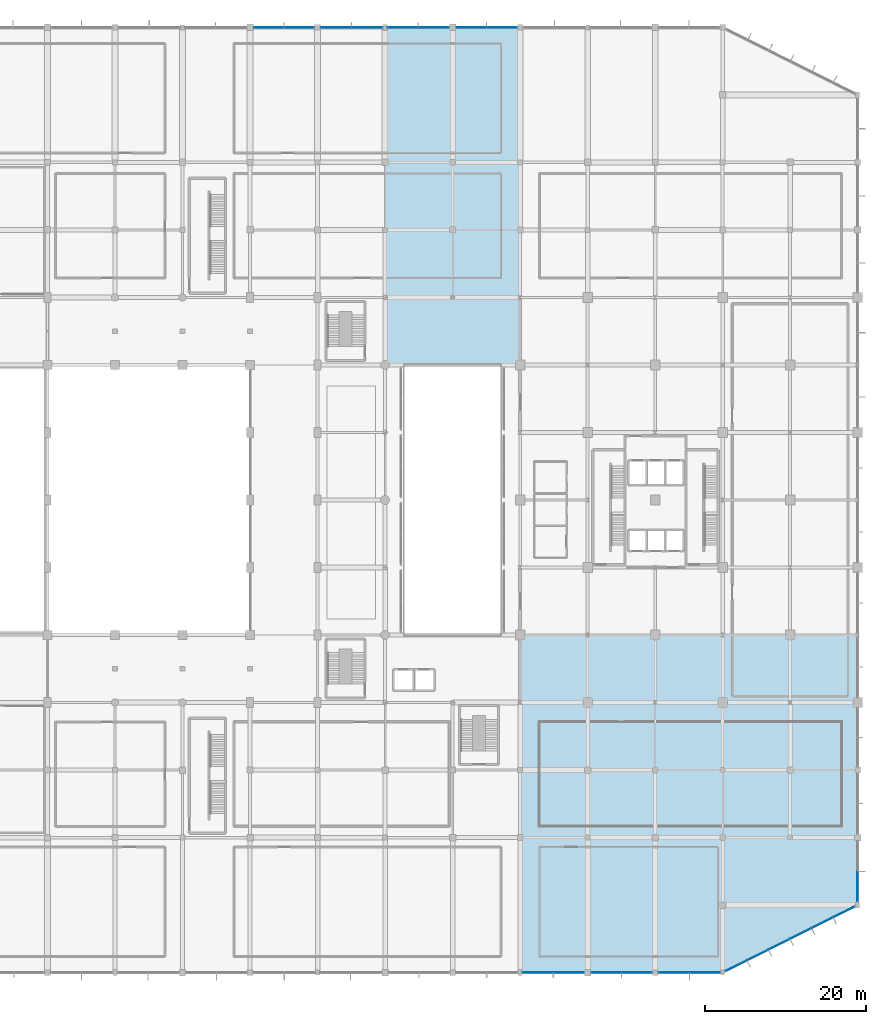
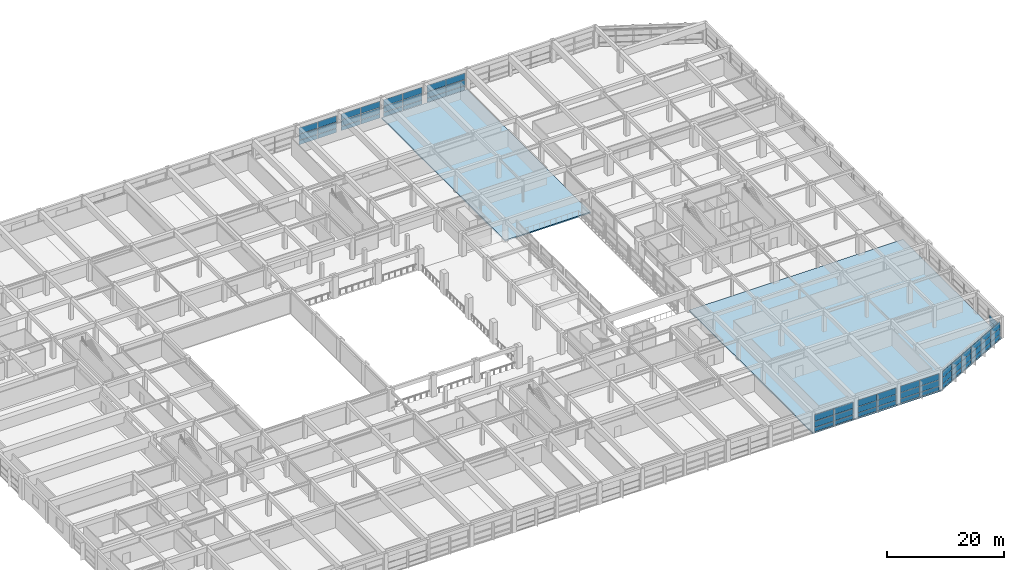
# One storey, part 47 of 65: 62 plates, 2 slabs, 9 elements without a shape of their own.
"""IFC4 building model written with IfcOpenShell, lengths in metres."""

from ifc_helpers import new_model, si_unit, direction, frame, origin, origin_2d, place, context, subcontext, project, spatial, polyline, rectangle, outline, extrude, material, layer, layer_set, type_object, element, aggregate, save


model = new_model("IFC4")

# Units and contexts
model_context = context("Model", 3, precision=1e-05, world=origin(), true_north=direction((0.0, 1.0)))
body_context = subcontext(model_context, "Body", "Model", "MODEL_VIEW")
ifc_project = project(units=[si_unit("LENGTHUNIT", "METRE"), si_unit("AREAUNIT", "SQUARE_METRE"), si_unit("VOLUMEUNIT", "CUBIC_METRE"), si_unit("PLANEANGLEUNIT", "RADIAN"), si_unit("MASSUNIT", "GRAM", prefix="KILO")], contexts=[model_context])

# Site, building, storey
site_placement = place(None, origin())
site = spatial("IfcSite", under=ifc_project, at=site_placement, CompositionType="ELEMENT")
building_placement = place(site_placement, origin())
building = spatial("IfcBuilding", under=site, at=building_placement, Name="Xuanlan Plaza Opera House", CompositionType="ELEMENT")
storey_placement = place(building_placement, frame((0.0, 0.0, 5.39990234375)))
storey = spatial("IfcBuildingStorey", under=building, at=storey_placement, Name="L01", CompositionType="ELEMENT", Elevation=5.39990234375)

# Curtain wall, plates
ifc_material_1 = material(Name="Anodised Aluminium 6063-T6 and Low-E Glass", Category="aluminium")
curtain_wall_type_1 = type_object("IfcCurtainWallType", Name="ENV-CW-CW-03", PredefinedType="USERDEFINED", material=ifc_material_1)
curtain_wall_1_placement = place(storey_placement, origin())
curtain_wall_1 = element("IfcCurtainWall", 1, at=curtain_wall_1_placement, inside=storey, type_object=curtain_wall_type_1, Name="Unitised Curtain Wall L01-016", ObjectType="UNITISED CURTAIN WALL", PredefinedType="USERDEFINED")
ifc_material_2 = material(Name="Laminated Acoustic Double Glazing", Category="glass")
ifc_layer_1 = layer(ifc_material_2, 0.028076171875)
ifc_layer_set_1 = layer_set([ifc_layer_1], Name="Laminated Acoustic Double Glazing")
plate_type_1 = type_object("IfcPlateType", Name="ENV-CWP-01", PredefinedType="CURTAIN_PANEL", material=ifc_layer_set_1)
plate_1_placement = place(storey_placement, frame((145.13623046875, 0.0, 0.090087890625), z_axis=(0.0, 0.0, 1.0), x_axis=(1.0, 0.0, 0.0)))
plate_1 = element("IfcPlate", 2, at=plate_1_placement, type_object=plate_type_1, Name="CW-03 panel 1.1", PredefinedType="CURTAIN_PANEL", context=body_context, shape_type="SweptSolid", body=[
    extrude(rectangle(XDim=3.7724609375, YDim=0.028076171875, at=origin_2d()), origin(), (0.0, 0.0, 1.0), 0.81494140625),
])
plate_2_placement = place(storey_placement, frame((145.13623046875, 0.0, 0.9951171875), z_axis=(0.0, 0.0, 1.0), x_axis=(1.0, 0.0, 0.0)))
plate_2 = element("IfcPlate", 3, at=plate_2_placement, type_object=plate_type_1, Name="CW-03 panel 1.2", PredefinedType="CURTAIN_PANEL", context=body_context, shape_type="SweptSolid", body=[
    extrude(rectangle(XDim=3.7724609375, YDim=0.028076171875, at=origin_2d()), origin(), (0.0, 0.0, 1.0), 1.2099609375),
])
plate_3_placement = place(storey_placement, frame((145.13623046875, 0.0, 2.295166015625), z_axis=(0.0, 0.0, 1.0), x_axis=(1.0, 0.0, 0.0)))
plate_3 = element("IfcPlate", 4, at=plate_3_placement, type_object=plate_type_1, Name="CW-03 panel 1.3", PredefinedType="CURTAIN_PANEL", context=body_context, shape_type="SweptSolid", body=[
    extrude(rectangle(XDim=3.7724609375, YDim=0.028076171875, at=origin_2d()), origin(), (0.0, 0.0, 1.0), 1.294921875),
])
plate_4_placement = place(storey_placement, frame((148.98876953125, 0.0, 0.090087890625), z_axis=(0.0, 0.0, 1.0), x_axis=(1.0, 0.0, 0.0)))
plate_4 = element("IfcPlate", 5, at=plate_4_placement, type_object=plate_type_1, Name="CW-03 panel 2.1", PredefinedType="CURTAIN_PANEL", context=body_context, shape_type="SweptSolid", body=[
    extrude(rectangle(XDim=3.7724609375, YDim=0.028076171875, at=origin_2d()), origin(), (0.0, 0.0, 1.0), 0.81494140625),
])
plate_5_placement = place(storey_placement, frame((148.98876953125, 0.0, 0.9951171875), z_axis=(0.0, 0.0, 1.0), x_axis=(1.0, 0.0, 0.0)))
plate_5 = element("IfcPlate", 6, at=plate_5_placement, type_object=plate_type_1, Name="CW-03 panel 2.2", PredefinedType="CURTAIN_PANEL", context=body_context, shape_type="SweptSolid", body=[
    extrude(rectangle(XDim=3.7724609375, YDim=0.028076171875, at=origin_2d()), origin(), (0.0, 0.0, 1.0), 1.2099609375),
])
plate_6_placement = place(storey_placement, frame((148.98876953125, 0.0, 2.295166015625), z_axis=(0.0, 0.0, 1.0), x_axis=(1.0, 0.0, 0.0)))
plate_6 = element("IfcPlate", 7, at=plate_6_placement, type_object=plate_type_1, Name="CW-03 panel 2.3", PredefinedType="CURTAIN_PANEL", context=body_context, shape_type="SweptSolid", body=[
    extrude(rectangle(XDim=3.7724609375, YDim=0.028076171875, at=origin_2d()), origin(), (0.0, 0.0, 1.0), 1.294921875),
])
aggregate(curtain_wall_1, [plate_1, plate_2, plate_3, plate_4, plate_5, plate_6])

curtain_wall_type_2 = type_object("IfcCurtainWallType", Name="ENV-CW-CW-05", PredefinedType="USERDEFINED", material=ifc_material_1)
curtain_wall_2_placement = place(storey_placement, origin())
curtain_wall_2 = element("IfcCurtainWall", 8, at=curtain_wall_2_placement, inside=storey, type_object=curtain_wall_type_2, Name="Acoustic Glazed Wall L01-036", ObjectType="ACOUSTIC GLAZED WALL", PredefinedType="USERDEFINED")
plate_7_placement = place(storey_placement, frame((106.969970703125, 117.60009765625, 0.090087890625), z_axis=(0.0, 0.0, 1.0), x_axis=(-1.0, 0.0, 0.0)))
plate_7 = element("IfcPlate", 9, at=plate_7_placement, type_object=plate_type_1, Name="CW-05 panel 1.1", PredefinedType="CURTAIN_PANEL", context=body_context, shape_type="SweptSolid", body=[
    extrude(rectangle(XDim=3.760009765625, YDim=0.028076171875, at=origin_2d()), origin(), (0.0, 0.0, 1.0), 0.81494140625),
])
plate_8_placement = place(storey_placement, frame((106.969970703125, 117.60009765625, 0.9951171875), z_axis=(0.0, 0.0, 1.0), x_axis=(-1.0, 0.0, 0.0)))
plate_8 = element("IfcPlate", 10, at=plate_8_placement, type_object=plate_type_1, Name="CW-05 panel 1.2", PredefinedType="CURTAIN_PANEL", context=body_context, shape_type="SweptSolid", body=[
    extrude(rectangle(XDim=3.760009765625, YDim=0.028076171875, at=origin_2d()), origin(), (0.0, 0.0, 1.0), 1.2099609375),
])
plate_9_placement = place(storey_placement, frame((106.969970703125, 117.60009765625, 2.295166015625), z_axis=(0.0, 0.0, 1.0), x_axis=(-1.0, 0.0, 0.0)))
plate_9 = element("IfcPlate", 11, at=plate_9_placement, type_object=plate_type_1, Name="CW-05 panel 1.3", PredefinedType="CURTAIN_PANEL", context=body_context, shape_type="SweptSolid", body=[
    extrude(rectangle(XDim=3.760009765625, YDim=0.028076171875, at=origin_2d()), origin(), (0.0, 0.0, 1.0), 1.294921875),
])
plate_10_placement = place(storey_placement, frame((103.1298828125, 117.60009765625, 0.090087890625), z_axis=(0.0, 0.0, 1.0), x_axis=(-1.0, 0.0, 0.0)))
plate_10 = element("IfcPlate", 12, at=plate_10_placement, type_object=plate_type_1, Name="CW-05 panel 2.1", PredefinedType="CURTAIN_PANEL", context=body_context, shape_type="SweptSolid", body=[
    extrude(rectangle(XDim=3.760009765625, YDim=0.028076171875, at=origin_2d()), origin(), (0.0, 0.0, 1.0), 0.81494140625),
])
plate_11_placement = place(storey_placement, frame((103.1298828125, 117.60009765625, 0.9951171875), z_axis=(0.0, 0.0, 1.0), x_axis=(-1.0, 0.0, 0.0)))
plate_11 = element("IfcPlate", 13, at=plate_11_placement, type_object=plate_type_1, Name="CW-05 panel 2.2", PredefinedType="CURTAIN_PANEL", context=body_context, shape_type="SweptSolid", body=[
    extrude(rectangle(XDim=3.760009765625, YDim=0.028076171875, at=origin_2d()), origin(), (0.0, 0.0, 1.0), 1.2099609375),
])
plate_12_placement = place(storey_placement, frame((103.1298828125, 117.60009765625, 2.295166015625), z_axis=(0.0, 0.0, 1.0), x_axis=(-1.0, 0.0, 0.0)))
plate_12 = element("IfcPlate", 14, at=plate_12_placement, type_object=plate_type_1, Name="CW-05 panel 2.3", PredefinedType="CURTAIN_PANEL", context=body_context, shape_type="SweptSolid", body=[
    extrude(rectangle(XDim=3.760009765625, YDim=0.028076171875, at=origin_2d()), origin(), (0.0, 0.0, 1.0), 1.294921875),
])
aggregate(curtain_wall_2, [plate_7, plate_8, plate_9, plate_10, plate_11, plate_12])

curtain_wall_type_3 = type_object("IfcCurtainWallType", Name="ENV-CW-CW-01", PredefinedType="USERDEFINED", material=ifc_material_1)
curtain_wall_3_placement = place(storey_placement, origin())
curtain_wall_3 = element("IfcCurtainWall", 15, at=curtain_wall_3_placement, inside=storey, type_object=curtain_wall_type_3, Name="Unitised Curtain Wall L01-018", ObjectType="UNITISED CURTAIN WALL", PredefinedType="USERDEFINED")
ifc_layer_2 = layer(ifc_material_2, 0.031982421875)
ifc_layer_set_2 = layer_set([ifc_layer_2], Name="Laminated Acoustic Double Glazing")
plate_type_2 = type_object("IfcPlateType", Name="ENV-CWP-02", PredefinedType="CURTAIN_PANEL", material=ifc_layer_set_2)
plate_13_placement = place(storey_placement, frame((168.0, 10.70751953125, 0.080078125), z_axis=(0.0, 0.0, 1.0), x_axis=(0.0, 1.0, 0.0)))
plate_13 = element("IfcPlate", 16, at=plate_13_placement, type_object=plate_type_2, Name="CW-01 panel 1.1", PredefinedType="CURTAIN_PANEL", context=body_context, shape_type="SweptSolid", body=[
    extrude(rectangle(XDim=3.695068359375, YDim=0.031982421875, at=origin_2d()), origin(), (0.0, 0.0, 1.0), 0.830078125),
])
plate_14_placement = place(storey_placement, frame((168.0, 10.70751953125, 0.990234375), z_axis=(0.0, 0.0, 1.0), x_axis=(0.0, 1.0, 0.0)))
plate_14 = element("IfcPlate", 17, at=plate_14_placement, type_object=plate_type_2, Name="CW-01 panel 1.2", PredefinedType="CURTAIN_PANEL", context=body_context, shape_type="SweptSolid", body=[
    extrude(rectangle(XDim=3.695068359375, YDim=0.031982421875, at=origin_2d()), origin(), (0.0, 0.0, 1.0), 1.219970703125),
])
aggregate(curtain_wall_3, [plate_13, plate_14])

curtain_wall_type_4 = type_object("IfcCurtainWallType", Name="ENV-CW-CW-02", PredefinedType="USERDEFINED", material=ifc_material_1)
curtain_wall_4_placement = place(storey_placement, origin())
curtain_wall_4 = element("IfcCurtainWall", 18, at=curtain_wall_4_placement, inside=storey, type_object=curtain_wall_type_4, Name="Unitised Curtain Wall L01-015", ObjectType="UNITISED CURTAIN WALL", PredefinedType="USERDEFINED")
ifc_layer_3 = layer(ifc_material_2, 0.035888671875)
ifc_layer_set_3 = layer_set([ifc_layer_3], Name="Laminated Acoustic Double Glazing")
plate_type_3 = type_object("IfcPlateType", Name="ENV-CWP-03", PredefinedType="CURTAIN_PANEL", material=ifc_layer_set_3)
plate_15_placement = place(storey_placement, frame((136.7412109375, 0.0, 0.0751953125), z_axis=(0.0, 0.0, 1.0), x_axis=(1.0, 0.0, 0.0)))
plate_15 = element("IfcPlate", 19, at=plate_15_placement, type_object=plate_type_3, Name="CW-02 panel 1.1", PredefinedType="CURTAIN_PANEL", context=body_context, shape_type="SweptSolid", body=[
    extrude(rectangle(XDim=3.6923828125, YDim=0.035888671875, at=origin_2d()), origin(), (0.0, 0.0, 1.0), 0.83740234375),
])
plate_16_placement = place(storey_placement, frame((136.7412109375, 0.0, 0.987548828125), z_axis=(0.0, 0.0, 1.0), x_axis=(1.0, 0.0, 0.0)))
plate_16 = element("IfcPlate", 20, at=plate_16_placement, type_object=plate_type_3, Name="CW-02 panel 1.2", PredefinedType="CURTAIN_PANEL", context=body_context, shape_type="SweptSolid", body=[
    extrude(rectangle(XDim=3.6923828125, YDim=0.035888671875, at=origin_2d()), origin(), (0.0, 0.0, 1.0), 1.22509765625),
])
plate_17_placement = place(storey_placement, frame((136.7412109375, 0.0, 2.28759765625), z_axis=(0.0, 0.0, 1.0), x_axis=(1.0, 0.0, 0.0)))
plate_17 = element("IfcPlate", 21, at=plate_17_placement, type_object=plate_type_3, Name="CW-02 panel 1.3", PredefinedType="CURTAIN_PANEL", context=body_context, shape_type="SweptSolid", body=[
    extrude(rectangle(XDim=3.6923828125, YDim=0.035888671875, at=origin_2d()), origin(), (0.0, 0.0, 1.0), 1.3173828125),
])
plate_18_placement = place(storey_placement, frame((140.5087890625, 0.0, 0.0751953125), z_axis=(0.0, 0.0, 1.0), x_axis=(1.0, 0.0, 0.0)))
plate_18 = element("IfcPlate", 22, at=plate_18_placement, type_object=plate_type_3, Name="CW-02 panel 2.1", PredefinedType="CURTAIN_PANEL", context=body_context, shape_type="SweptSolid", body=[
    extrude(rectangle(XDim=3.6923828125, YDim=0.035888671875, at=origin_2d()), origin(), (0.0, 0.0, 1.0), 0.83740234375),
])
plate_19_placement = place(storey_placement, frame((140.5087890625, 0.0, 0.987548828125), z_axis=(0.0, 0.0, 1.0), x_axis=(1.0, 0.0, 0.0)))
plate_19 = element("IfcPlate", 23, at=plate_19_placement, type_object=plate_type_3, Name="CW-02 panel 2.2", PredefinedType="CURTAIN_PANEL", context=body_context, shape_type="SweptSolid", body=[
    extrude(rectangle(XDim=3.6923828125, YDim=0.035888671875, at=origin_2d()), origin(), (0.0, 0.0, 1.0), 1.22509765625),
])
plate_20_placement = place(storey_placement, frame((140.5087890625, 0.0, 2.28759765625), z_axis=(0.0, 0.0, 1.0), x_axis=(1.0, 0.0, 0.0)))
plate_20 = element("IfcPlate", 24, at=plate_20_placement, type_object=plate_type_3, Name="CW-02 panel 2.3", PredefinedType="CURTAIN_PANEL", context=body_context, shape_type="SweptSolid", body=[
    extrude(rectangle(XDim=3.6923828125, YDim=0.035888671875, at=origin_2d()), origin(), (0.0, 0.0, 1.0), 1.3173828125),
])
aggregate(curtain_wall_4, [plate_15, plate_16, plate_17, plate_18, plate_19, plate_20])

curtain_wall_type_5 = type_object("IfcCurtainWallType", Name="ENV-CW-CW-06", PredefinedType="USERDEFINED", material=ifc_material_1)
curtain_wall_5_placement = place(storey_placement, origin())
curtain_wall_5 = element("IfcCurtainWall", 25, at=curtain_wall_5_placement, inside=storey, type_object=curtain_wall_type_5, Name="Acoustic Glazed Wall L01-035", ObjectType="ACOUSTIC GLAZED WALL", PredefinedType="USERDEFINED")
plate_21_placement = place(storey_placement, frame((115.233642578125, 117.60009765625, 0.0751953125), z_axis=(0.0, 0.0, 1.0), x_axis=(-1.0, 0.0, 0.0)))
plate_21 = element("IfcPlate", 26, at=plate_21_placement, type_object=plate_type_3, Name="CW-06 panel 1.1", PredefinedType="CURTAIN_PANEL", context=body_context, shape_type="SweptSolid", body=[
    extrude(rectangle(XDim=3.742431640625, YDim=0.035888671875, at=origin_2d()), origin(), (0.0, 0.0, 1.0), 0.83740234375),
])
plate_22_placement = place(storey_placement, frame((115.233642578125, 117.60009765625, 0.987548828125), z_axis=(0.0, 0.0, 1.0), x_axis=(-1.0, 0.0, 0.0)))
plate_22 = element("IfcPlate", 27, at=plate_22_placement, type_object=plate_type_3, Name="CW-06 panel 1.2", PredefinedType="CURTAIN_PANEL", context=body_context, shape_type="SweptSolid", body=[
    extrude(rectangle(XDim=3.742431640625, YDim=0.035888671875, at=origin_2d()), origin(), (0.0, 0.0, 1.0), 1.22509765625),
])
plate_23_placement = place(storey_placement, frame((115.233642578125, 117.60009765625, 2.28759765625), z_axis=(0.0, 0.0, 1.0), x_axis=(-1.0, 0.0, 0.0)))
plate_23 = element("IfcPlate", 28, at=plate_23_placement, type_object=plate_type_3, Name="CW-06 panel 1.3", PredefinedType="CURTAIN_PANEL", context=body_context, shape_type="SweptSolid", body=[
    extrude(rectangle(XDim=3.742431640625, YDim=0.035888671875, at=origin_2d()), origin(), (0.0, 0.0, 1.0), 1.3173828125),
])
plate_24_placement = place(storey_placement, frame((111.416259765625, 117.60009765625, 0.0751953125), z_axis=(0.0, 0.0, 1.0), x_axis=(-1.0, 0.0, 0.0)))
plate_24 = element("IfcPlate", 29, at=plate_24_placement, type_object=plate_type_3, Name="CW-06 panel 2.1", PredefinedType="CURTAIN_PANEL", context=body_context, shape_type="SweptSolid", body=[
    extrude(rectangle(XDim=3.742431640625, YDim=0.035888671875, at=origin_2d()), origin(), (0.0, 0.0, 1.0), 0.83740234375),
])
plate_25_placement = place(storey_placement, frame((111.416259765625, 117.60009765625, 0.987548828125), z_axis=(0.0, 0.0, 1.0), x_axis=(-1.0, 0.0, 0.0)))
plate_25 = element("IfcPlate", 30, at=plate_25_placement, type_object=plate_type_3, Name="CW-06 panel 2.2", PredefinedType="CURTAIN_PANEL", context=body_context, shape_type="SweptSolid", body=[
    extrude(rectangle(XDim=3.742431640625, YDim=0.035888671875, at=origin_2d()), origin(), (0.0, 0.0, 1.0), 1.22509765625),
])
plate_26_placement = place(storey_placement, frame((111.416259765625, 117.60009765625, 2.28759765625), z_axis=(0.0, 0.0, 1.0), x_axis=(-1.0, 0.0, 0.0)))
plate_26 = element("IfcPlate", 31, at=plate_26_placement, type_object=plate_type_3, Name="CW-06 panel 2.3", PredefinedType="CURTAIN_PANEL", context=body_context, shape_type="SweptSolid", body=[
    extrude(rectangle(XDim=3.742431640625, YDim=0.035888671875, at=origin_2d()), origin(), (0.0, 0.0, 1.0), 1.3173828125),
])
aggregate(curtain_wall_5, [plate_21, plate_22, plate_23, plate_24, plate_25, plate_26])

curtain_wall_type_6 = type_object("IfcCurtainWallType", Name="ENV-CW-CW-04", PredefinedType="USERDEFINED", material=ifc_material_1)
curtain_wall_6_placement = place(storey_placement, origin())
curtain_wall_6 = element("IfcCurtainWall", 32, at=curtain_wall_6_placement, inside=storey, type_object=curtain_wall_type_6, Name="Unitised Curtain Wall L01-017", ObjectType="UNITISED CURTAIN WALL", PredefinedType="USERDEFINED")
ifc_layer_4 = layer(ifc_material_2, 0.0400390625)
ifc_layer_set_4 = layer_set([ifc_layer_4], Name="Laminated Acoustic Double Glazing")
plate_type_4 = type_object("IfcPlateType", Name="ENV-CWP-04", PredefinedType="CURTAIN_PANEL", material=ifc_layer_set_4)
plate_27_placement = place(storey_placement, frame((152.909912109375, 0.85498046875, 0.0703125), z_axis=(0.0, 0.0, 1.0), x_axis=(0.894427191001, 0.447213595499, 0.0)))
plate_27 = element("IfcPlate", 33, at=plate_27_placement, type_object=plate_type_4, Name="CW-04 panel 1.1", PredefinedType="CURTAIN_PANEL", context=body_context, shape_type="SweptSolid", body=[
    extrude(rectangle(XDim=2.8603515625, YDim=0.0400390625, at=origin_2d()), origin(), (0.0, 0.0, 1.0), 0.844970703125),
])
plate_28_placement = place(storey_placement, frame((152.909912109375, 0.85498046875, 0.985107421875), z_axis=(0.0, 0.0, 1.0), x_axis=(0.894427191001, 0.447213595499, 0.0)))
plate_28 = element("IfcPlate", 34, at=plate_28_placement, type_object=plate_type_4, Name="CW-04 panel 1.2", PredefinedType="CURTAIN_PANEL", context=body_context, shape_type="SweptSolid", body=[
    extrude(rectangle(XDim=2.8603515625, YDim=0.0400390625, at=origin_2d()), origin(), (0.0, 0.0, 1.0), 1.22998046875),
])
plate_29_placement = place(storey_placement, frame((152.909912109375, 0.85498046875, 2.28515625), z_axis=(0.0, 0.0, 1.0), x_axis=(0.894427191001, 0.447213595499, 0.0)))
plate_29 = element("IfcPlate", 35, at=plate_29_placement, type_object=plate_type_4, Name="CW-04 panel 1.3", PredefinedType="CURTAIN_PANEL", context=body_context, shape_type="SweptSolid", body=[
    extrude(rectangle(XDim=2.8603515625, YDim=0.0400390625, at=origin_2d()), origin(), (0.0, 0.0, 1.0), 1.324951171875),
])
plate_30_placement = place(storey_placement, frame((155.56884765625, 2.184326171875, 0.0703125), z_axis=(0.0, 0.0, 1.0), x_axis=(0.894427191001, 0.447213595499, 0.0)))
plate_30 = element("IfcPlate", 36, at=plate_30_placement, type_object=plate_type_4, Name="CW-04 panel 2.1", PredefinedType="CURTAIN_PANEL", context=body_context, shape_type="SweptSolid", body=[
    extrude(rectangle(XDim=2.9052734375, YDim=0.0400390625, at=origin_2d()), origin(), (0.0, 0.0, 1.0), 0.844970703125),
])
plate_31_placement = place(storey_placement, frame((155.56884765625, 2.184326171875, 0.985107421875), z_axis=(0.0, 0.0, 1.0), x_axis=(0.894427191001, 0.447213595499, 0.0)))
plate_31 = element("IfcPlate", 37, at=plate_31_placement, type_object=plate_type_4, Name="CW-04 panel 2.2", PredefinedType="CURTAIN_PANEL", context=body_context, shape_type="SweptSolid", body=[
    extrude(rectangle(XDim=2.9052734375, YDim=0.0400390625, at=origin_2d()), origin(), (0.0, 0.0, 1.0), 1.22998046875),
])
plate_32_placement = place(storey_placement, frame((155.56884765625, 2.184326171875, 2.28515625), z_axis=(0.0, 0.0, 1.0), x_axis=(0.894427191001, 0.447213595499, 0.0)))
plate_32 = element("IfcPlate", 38, at=plate_32_placement, type_object=plate_type_4, Name="CW-04 panel 2.3", PredefinedType="CURTAIN_PANEL", context=body_context, shape_type="SweptSolid", body=[
    extrude(rectangle(XDim=2.9052734375, YDim=0.0400390625, at=origin_2d()), origin(), (0.0, 0.0, 1.0), 1.324951171875),
])
plate_33_placement = place(storey_placement, frame((158.248046875, 3.52392578125, 0.0703125), z_axis=(0.0, 0.0, 1.0), x_axis=(0.894427191001, 0.447213595499, 0.0)))
plate_33 = element("IfcPlate", 39, at=plate_33_placement, type_object=plate_type_4, Name="CW-04 panel 3.1", PredefinedType="CURTAIN_PANEL", context=body_context, shape_type="SweptSolid", body=[
    extrude(rectangle(XDim=2.9052734375, YDim=0.0400390625, at=origin_2d()), origin(), (0.0, 0.0, 1.0), 0.844970703125),
])
plate_34_placement = place(storey_placement, frame((158.248046875, 3.52392578125, 0.985107421875), z_axis=(0.0, 0.0, 1.0), x_axis=(0.894427191001, 0.447213595499, 0.0)))
plate_34 = element("IfcPlate", 40, at=plate_34_placement, type_object=plate_type_4, Name="CW-04 panel 3.2", PredefinedType="CURTAIN_PANEL", context=body_context, shape_type="SweptSolid", body=[
    extrude(rectangle(XDim=2.9052734375, YDim=0.0400390625, at=origin_2d()), origin(), (0.0, 0.0, 1.0), 1.22998046875),
])
plate_35_placement = place(storey_placement, frame((158.248046875, 3.52392578125, 2.28515625), z_axis=(0.0, 0.0, 1.0), x_axis=(0.894427191001, 0.447213595499, 0.0)))
plate_35 = element("IfcPlate", 41, at=plate_35_placement, type_object=plate_type_4, Name="CW-04 panel 3.3", PredefinedType="CURTAIN_PANEL", context=body_context, shape_type="SweptSolid", body=[
    extrude(rectangle(XDim=2.9052734375, YDim=0.0400390625, at=origin_2d()), origin(), (0.0, 0.0, 1.0), 1.324951171875),
])
plate_36_placement = place(storey_placement, frame((160.927001953125, 4.863525390625, 0.0703125), z_axis=(0.0, 0.0, 1.0), x_axis=(0.894427191001, 0.447213595499, 0.0)))
plate_36 = element("IfcPlate", 42, at=plate_36_placement, type_object=plate_type_4, Name="CW-04 panel 4.1", PredefinedType="CURTAIN_PANEL", context=body_context, shape_type="SweptSolid", body=[
    extrude(rectangle(XDim=2.9052734375, YDim=0.0400390625, at=origin_2d()), origin(), (0.0, 0.0, 1.0), 0.844970703125),
])
plate_37_placement = place(storey_placement, frame((160.927001953125, 4.863525390625, 0.985107421875), z_axis=(0.0, 0.0, 1.0), x_axis=(0.894427191001, 0.447213595499, 0.0)))
plate_37 = element("IfcPlate", 43, at=plate_37_placement, type_object=plate_type_4, Name="CW-04 panel 4.2", PredefinedType="CURTAIN_PANEL", context=body_context, shape_type="SweptSolid", body=[
    extrude(rectangle(XDim=2.9052734375, YDim=0.0400390625, at=origin_2d()), origin(), (0.0, 0.0, 1.0), 1.22998046875),
])
plate_38_placement = place(storey_placement, frame((160.927001953125, 4.863525390625, 2.28515625), z_axis=(0.0, 0.0, 1.0), x_axis=(0.894427191001, 0.447213595499, 0.0)))
plate_38 = element("IfcPlate", 44, at=plate_38_placement, type_object=plate_type_4, Name="CW-04 panel 4.3", PredefinedType="CURTAIN_PANEL", context=body_context, shape_type="SweptSolid", body=[
    extrude(rectangle(XDim=2.9052734375, YDim=0.0400390625, at=origin_2d()), origin(), (0.0, 0.0, 1.0), 1.324951171875),
])
plate_39_placement = place(storey_placement, frame((163.606201171875, 6.203125, 0.0703125), z_axis=(0.0, 0.0, 1.0), x_axis=(0.894427191001, 0.447213595499, 0.0)))
plate_39 = element("IfcPlate", 45, at=plate_39_placement, type_object=plate_type_4, Name="CW-04 panel 5.1", PredefinedType="CURTAIN_PANEL", context=body_context, shape_type="SweptSolid", body=[
    extrude(rectangle(XDim=2.9052734375, YDim=0.0400390625, at=origin_2d()), origin(), (0.0, 0.0, 1.0), 0.844970703125),
])
plate_40_placement = place(storey_placement, frame((163.606201171875, 6.203125, 0.985107421875), z_axis=(0.0, 0.0, 1.0), x_axis=(0.894427191001, 0.447213595499, 0.0)))
plate_40 = element("IfcPlate", 46, at=plate_40_placement, type_object=plate_type_4, Name="CW-04 panel 5.2", PredefinedType="CURTAIN_PANEL", context=body_context, shape_type="SweptSolid", body=[
    extrude(rectangle(XDim=2.9052734375, YDim=0.0400390625, at=origin_2d()), origin(), (0.0, 0.0, 1.0), 1.22998046875),
])
plate_41_placement = place(storey_placement, frame((163.606201171875, 6.203125, 2.28515625), z_axis=(0.0, 0.0, 1.0), x_axis=(0.894427191001, 0.447213595499, 0.0)))
plate_41 = element("IfcPlate", 47, at=plate_41_placement, type_object=plate_type_4, Name="CW-04 panel 5.3", PredefinedType="CURTAIN_PANEL", context=body_context, shape_type="SweptSolid", body=[
    extrude(rectangle(XDim=2.9052734375, YDim=0.0400390625, at=origin_2d()), origin(), (0.0, 0.0, 1.0), 1.324951171875),
])
plate_42_placement = place(storey_placement, frame((166.26513671875, 7.532470703125, 0.0703125), z_axis=(0.0, 0.0, 1.0), x_axis=(0.894427191001, 0.447213595499, 0.0)))
plate_42 = element("IfcPlate", 48, at=plate_42_placement, type_object=plate_type_4, Name="CW-04 panel 6.1", PredefinedType="CURTAIN_PANEL", context=body_context, shape_type="SweptSolid", body=[
    extrude(rectangle(XDim=2.8603515625, YDim=0.0400390625, at=origin_2d()), origin(), (0.0, 0.0, 1.0), 0.844970703125),
])
plate_43_placement = place(storey_placement, frame((166.26513671875, 7.532470703125, 0.985107421875), z_axis=(0.0, 0.0, 1.0), x_axis=(0.894427191001, 0.447213595499, 0.0)))
plate_43 = element("IfcPlate", 49, at=plate_43_placement, type_object=plate_type_4, Name="CW-04 panel 6.2", PredefinedType="CURTAIN_PANEL", context=body_context, shape_type="SweptSolid", body=[
    extrude(rectangle(XDim=2.8603515625, YDim=0.0400390625, at=origin_2d()), origin(), (0.0, 0.0, 1.0), 1.22998046875),
])
plate_44_placement = place(storey_placement, frame((166.26513671875, 7.532470703125, 2.28515625), z_axis=(0.0, 0.0, 1.0), x_axis=(0.894427191001, 0.447213595499, 0.0)))
plate_44 = element("IfcPlate", 50, at=plate_44_placement, type_object=plate_type_4, Name="CW-04 panel 6.3", PredefinedType="CURTAIN_PANEL", context=body_context, shape_type="SweptSolid", body=[
    extrude(rectangle(XDim=2.8603515625, YDim=0.0400390625, at=origin_2d()), origin(), (0.0, 0.0, 1.0), 1.324951171875),
])
aggregate(curtain_wall_6, [plate_27, plate_28, plate_29, plate_30, plate_31, plate_32, plate_33, plate_34, plate_35, plate_36, plate_37, plate_38, plate_39, plate_40, plate_41, plate_42, plate_43, plate_44])

curtain_wall_7_placement = place(storey_placement, origin())
curtain_wall_7 = element("IfcCurtainWall", 51, at=curtain_wall_7_placement, inside=storey, type_object=curtain_wall_type_5, Name="Acoustic Glazed Wall L01-037", ObjectType="ACOUSTIC GLAZED WALL", PredefinedType="USERDEFINED")
plate_45_placement = place(storey_placement, frame((98.5048828125, 117.60009765625, 0.0703125), z_axis=(0.0, 0.0, 1.0), x_axis=(-1.0, 0.0, 0.0)))
plate_45 = element("IfcPlate", 52, at=plate_45_placement, type_object=plate_type_4, Name="CW-06 panel 1.1", PredefinedType="CURTAIN_PANEL", context=body_context, shape_type="SweptSolid", body=[
    extrude(rectangle(XDim=3.669921875, YDim=0.0400390625, at=origin_2d()), origin(), (0.0, 0.0, 1.0), 0.844970703125),
])
plate_46_placement = place(storey_placement, frame((98.5048828125, 117.60009765625, 0.985107421875), z_axis=(0.0, 0.0, 1.0), x_axis=(-1.0, 0.0, 0.0)))
plate_46 = element("IfcPlate", 53, at=plate_46_placement, type_object=plate_type_4, Name="CW-06 panel 1.2", PredefinedType="CURTAIN_PANEL", context=body_context, shape_type="SweptSolid", body=[
    extrude(rectangle(XDim=3.669921875, YDim=0.0400390625, at=origin_2d()), origin(), (0.0, 0.0, 1.0), 1.22998046875),
])
plate_47_placement = place(storey_placement, frame((98.5048828125, 117.60009765625, 2.28515625), z_axis=(0.0, 0.0, 1.0), x_axis=(-1.0, 0.0, 0.0)))
plate_47 = element("IfcPlate", 54, at=plate_47_placement, type_object=plate_type_4, Name="CW-06 panel 1.3", PredefinedType="CURTAIN_PANEL", context=body_context, shape_type="SweptSolid", body=[
    extrude(rectangle(XDim=3.669921875, YDim=0.0400390625, at=origin_2d()), origin(), (0.0, 0.0, 1.0), 1.324951171875),
])
plate_48_placement = place(storey_placement, frame((94.7451171875, 117.60009765625, 0.0703125), z_axis=(0.0, 0.0, 1.0), x_axis=(-1.0, 0.0, 0.0)))
plate_48 = element("IfcPlate", 55, at=plate_48_placement, type_object=plate_type_4, Name="CW-06 panel 2.1", PredefinedType="CURTAIN_PANEL", context=body_context, shape_type="SweptSolid", body=[
    extrude(rectangle(XDim=3.669921875, YDim=0.0400390625, at=origin_2d()), origin(), (0.0, 0.0, 1.0), 0.844970703125),
])
plate_49_placement = place(storey_placement, frame((94.7451171875, 117.60009765625, 0.985107421875), z_axis=(0.0, 0.0, 1.0), x_axis=(-1.0, 0.0, 0.0)))
plate_49 = element("IfcPlate", 56, at=plate_49_placement, type_object=plate_type_4, Name="CW-06 panel 2.2", PredefinedType="CURTAIN_PANEL", context=body_context, shape_type="SweptSolid", body=[
    extrude(rectangle(XDim=3.669921875, YDim=0.0400390625, at=origin_2d()), origin(), (0.0, 0.0, 1.0), 1.22998046875),
])
plate_50_placement = place(storey_placement, frame((94.7451171875, 117.60009765625, 2.28515625), z_axis=(0.0, 0.0, 1.0), x_axis=(-1.0, 0.0, 0.0)))
plate_50 = element("IfcPlate", 57, at=plate_50_placement, type_object=plate_type_4, Name="CW-06 panel 2.3", PredefinedType="CURTAIN_PANEL", context=body_context, shape_type="SweptSolid", body=[
    extrude(rectangle(XDim=3.669921875, YDim=0.0400390625, at=origin_2d()), origin(), (0.0, 0.0, 1.0), 1.324951171875),
])
aggregate(curtain_wall_7, [plate_45, plate_46, plate_47, plate_48, plate_49, plate_50])

curtain_wall_8_placement = place(storey_placement, origin())
curtain_wall_8 = element("IfcCurtainWall", 58, at=curtain_wall_8_placement, inside=storey, type_object=curtain_wall_type_2, Name="Acoustic Glazed Wall L01-014", ObjectType="ACOUSTIC GLAZED WALL", PredefinedType="USERDEFINED")
ifc_layer_5 = layer(ifc_material_2, 0.0439453125)
ifc_layer_set_5 = layer_set([ifc_layer_5], Name="Laminated Acoustic Double Glazing")
plate_type_5 = type_object("IfcPlateType", Name="ENV-CWP-05", PredefinedType="CURTAIN_PANEL", material=ifc_layer_set_5)
plate_51_placement = place(storey_placement, frame((128.215087890625, 0.0, 0.065185546875), z_axis=(0.0, 0.0, 1.0), x_axis=(1.0, 0.0, 0.0)))
plate_51 = element("IfcPlate", 59, at=plate_51_placement, type_object=plate_type_5, Name="CW-05 panel 1.1", PredefinedType="CURTAIN_PANEL", context=body_context, shape_type="SweptSolid", body=[
    extrude(rectangle(XDim=3.75, YDim=0.0439453125, at=origin_2d()), origin(), (0.0, 0.0, 1.0), 0.8525390625),
])
plate_52_placement = place(storey_placement, frame((128.215087890625, 0.0, 0.982421875), z_axis=(0.0, 0.0, 1.0), x_axis=(1.0, 0.0, 0.0)))
plate_52 = element("IfcPlate", 60, at=plate_52_placement, type_object=plate_type_5, Name="CW-05 panel 1.2", PredefinedType="CURTAIN_PANEL", context=body_context, shape_type="SweptSolid", body=[
    extrude(rectangle(XDim=3.75, YDim=0.0439453125, at=origin_2d()), origin(), (0.0, 0.0, 1.0), 1.235107421875),
])
plate_53_placement = place(storey_placement, frame((128.215087890625, 0.0, 2.282470703125), z_axis=(0.0, 0.0, 1.0), x_axis=(1.0, 0.0, 0.0)))
plate_53 = element("IfcPlate", 61, at=plate_53_placement, type_object=plate_type_5, Name="CW-05 panel 1.3", PredefinedType="CURTAIN_PANEL", context=body_context, shape_type="SweptSolid", body=[
    extrude(rectangle(XDim=3.75, YDim=0.0439453125, at=origin_2d()), origin(), (0.0, 0.0, 1.0), 1.33251953125),
])
plate_54_placement = place(storey_placement, frame((132.034912109375, 0.0, 0.065185546875), z_axis=(0.0, 0.0, 1.0), x_axis=(1.0, 0.0, 0.0)))
plate_54 = element("IfcPlate", 62, at=plate_54_placement, type_object=plate_type_5, Name="CW-05 panel 2.1", PredefinedType="CURTAIN_PANEL", context=body_context, shape_type="SweptSolid", body=[
    extrude(rectangle(XDim=3.75, YDim=0.0439453125, at=origin_2d()), origin(), (0.0, 0.0, 1.0), 0.8525390625),
])
plate_55_placement = place(storey_placement, frame((132.034912109375, 0.0, 0.982421875), z_axis=(0.0, 0.0, 1.0), x_axis=(1.0, 0.0, 0.0)))
plate_55 = element("IfcPlate", 63, at=plate_55_placement, type_object=plate_type_5, Name="CW-05 panel 2.2", PredefinedType="CURTAIN_PANEL", context=body_context, shape_type="SweptSolid", body=[
    extrude(rectangle(XDim=3.75, YDim=0.0439453125, at=origin_2d()), origin(), (0.0, 0.0, 1.0), 1.235107421875),
])
plate_56_placement = place(storey_placement, frame((132.034912109375, 0.0, 2.282470703125), z_axis=(0.0, 0.0, 1.0), x_axis=(1.0, 0.0, 0.0)))
plate_56 = element("IfcPlate", 64, at=plate_56_placement, type_object=plate_type_5, Name="CW-05 panel 2.3", PredefinedType="CURTAIN_PANEL", context=body_context, shape_type="SweptSolid", body=[
    extrude(rectangle(XDim=3.75, YDim=0.0439453125, at=origin_2d()), origin(), (0.0, 0.0, 1.0), 1.33251953125),
])
aggregate(curtain_wall_8, [plate_51, plate_52, plate_53, plate_54, plate_55, plate_56])

curtain_wall_9_placement = place(storey_placement, origin())
curtain_wall_9 = element("IfcCurtainWall", 65, at=curtain_wall_9_placement, inside=storey, type_object=curtain_wall_type_2, Name="Acoustic Glazed Wall L01-034", ObjectType="ACOUSTIC GLAZED WALL", PredefinedType="USERDEFINED")
plate_57_placement = place(storey_placement, frame((123.7099609375, 117.60009765625, 0.065185546875), z_axis=(0.0, 0.0, 1.0), x_axis=(-1.0, 0.0, 0.0)))
plate_57 = element("IfcPlate", 66, at=plate_57_placement, type_object=plate_type_5, Name="CW-05 panel 1.1", PredefinedType="CURTAIN_PANEL", context=body_context, shape_type="SweptSolid", body=[
    extrude(rectangle(XDim=3.699951171875, YDim=0.0439453125, at=origin_2d()), origin(), (0.0, 0.0, 1.0), 0.8525390625),
])
plate_58_placement = place(storey_placement, frame((123.7099609375, 117.60009765625, 0.982421875), z_axis=(0.0, 0.0, 1.0), x_axis=(-1.0, 0.0, 0.0)))
plate_58 = element("IfcPlate", 67, at=plate_58_placement, type_object=plate_type_5, Name="CW-05 panel 1.2", PredefinedType="CURTAIN_PANEL", context=body_context, shape_type="SweptSolid", body=[
    extrude(rectangle(XDim=3.699951171875, YDim=0.0439453125, at=origin_2d()), origin(), (0.0, 0.0, 1.0), 1.235107421875),
])
plate_59_placement = place(storey_placement, frame((123.7099609375, 117.60009765625, 2.282470703125), z_axis=(0.0, 0.0, 1.0), x_axis=(-1.0, 0.0, 0.0)))
plate_59 = element("IfcPlate", 68, at=plate_59_placement, type_object=plate_type_5, Name="CW-05 panel 1.3", PredefinedType="CURTAIN_PANEL", context=body_context, shape_type="SweptSolid", body=[
    extrude(rectangle(XDim=3.699951171875, YDim=0.0439453125, at=origin_2d()), origin(), (0.0, 0.0, 1.0), 1.33251953125),
])
plate_60_placement = place(storey_placement, frame((119.93994140625, 117.60009765625, 0.065185546875), z_axis=(0.0, 0.0, 1.0), x_axis=(-1.0, 0.0, 0.0)))
plate_60 = element("IfcPlate", 69, at=plate_60_placement, type_object=plate_type_5, Name="CW-05 panel 2.1", PredefinedType="CURTAIN_PANEL", context=body_context, shape_type="SweptSolid", body=[
    extrude(rectangle(XDim=3.699951171875, YDim=0.0439453125, at=origin_2d()), origin(), (0.0, 0.0, 1.0), 0.8525390625),
])
plate_61_placement = place(storey_placement, frame((119.93994140625, 117.60009765625, 0.982421875), z_axis=(0.0, 0.0, 1.0), x_axis=(-1.0, 0.0, 0.0)))
plate_61 = element("IfcPlate", 70, at=plate_61_placement, type_object=plate_type_5, Name="CW-05 panel 2.2", PredefinedType="CURTAIN_PANEL", context=body_context, shape_type="SweptSolid", body=[
    extrude(rectangle(XDim=3.699951171875, YDim=0.0439453125, at=origin_2d()), origin(), (0.0, 0.0, 1.0), 1.235107421875),
])
plate_62_placement = place(storey_placement, frame((119.93994140625, 117.60009765625, 2.282470703125), z_axis=(0.0, 0.0, 1.0), x_axis=(-1.0, 0.0, 0.0)))
plate_62 = element("IfcPlate", 71, at=plate_62_placement, type_object=plate_type_5, Name="CW-05 panel 2.3", PredefinedType="CURTAIN_PANEL", context=body_context, shape_type="SweptSolid", body=[
    extrude(rectangle(XDim=3.699951171875, YDim=0.0439453125, at=origin_2d()), origin(), (0.0, 0.0, 1.0), 1.33251953125),
])
aggregate(curtain_wall_9, [plate_57, plate_58, plate_59, plate_60, plate_61, plate_62])

# Slabs
ifc_material_3 = material(Name="Concrete C40", Category="concrete")
ifc_layer_6 = layer(ifc_material_3, 0.260009765625)
ifc_layer_set_6 = layer_set([ifc_layer_6], Name="Concrete C40")
slab_type = type_object("IfcSlabType", Name="STR-SLB-SL-02", PredefinedType="FLOOR", material=ifc_layer_set_6)
slab_1_placement = place(storey_placement, frame((0.0, 0.0, -0.260009765625)))
element("IfcSlab", 72, at=slab_1_placement, inside=storey, type_object=slab_type, Name="Storey L01 Structural Floor Slab Zone 13", PredefinedType="FLOOR", context=body_context, shape_type="SweptSolid", body=[
    extrude(outline(polyline([(126.0, 117.60009765625), (126.0, 75.60009765625), (123.60009765625, 75.60009765625), (111.60009765625, 75.60009765625), (109.199951171875, 75.60009765625), (109.199951171875, 117.60009765625), (126.0, 117.60009765625)])), origin(), (0.0, 0.0, 1.0), 0.260009765625),
])
slab_2_placement = place(storey_placement, frame((0.0, 0.0, -0.260009765625)))
element("IfcSlab", 73, at=slab_2_placement, inside=storey, type_object=slab_type, Name="Storey L01 Structural Floor Slab Zone 14", PredefinedType="FLOOR", context=body_context, shape_type="SweptSolid", body=[
    extrude(outline(polyline([(168.0, 8.39990234375), (151.199951171875, 0.0), (126.0, 0.0), (126.0, 42.0), (168.0, 42.0), (168.0, 8.39990234375)])), origin(), (0.0, 0.0, 1.0), 0.260009765625),
])

save(model, "model.ifc")
